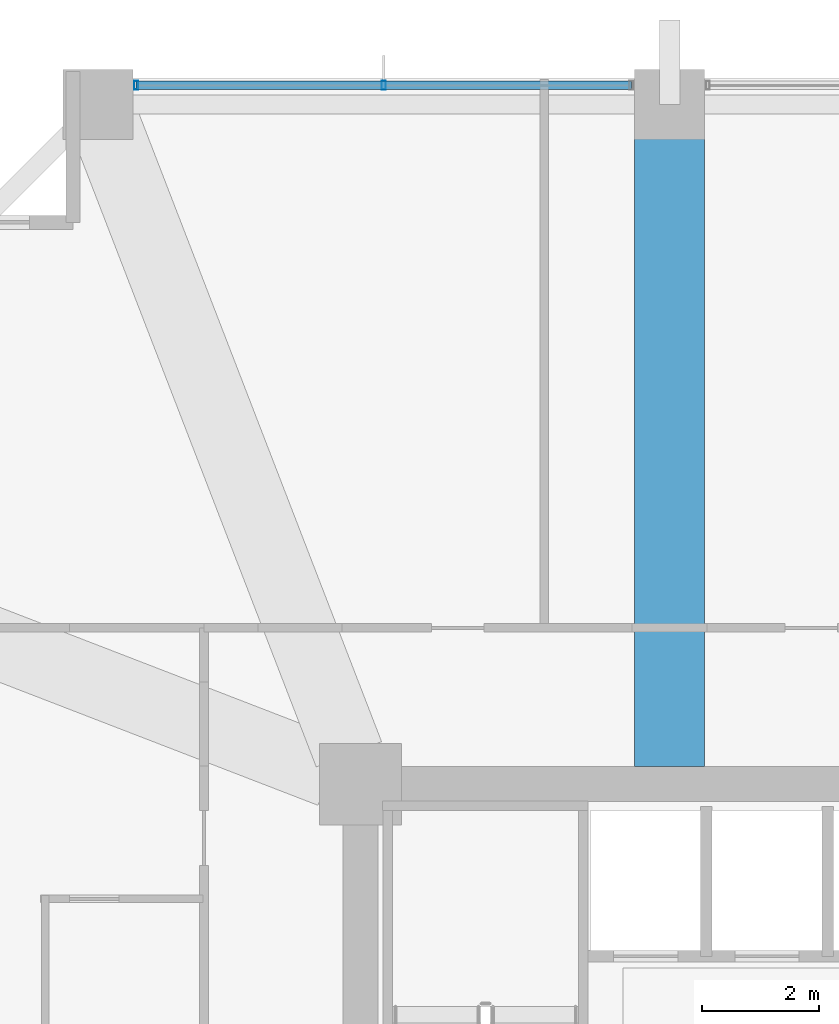
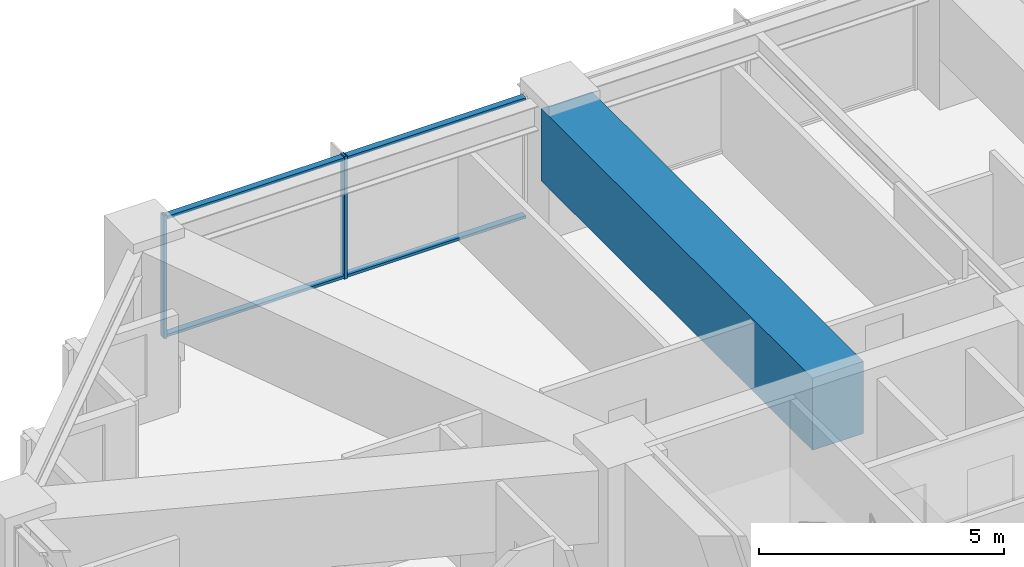
# One storey, part 22 of 39: 4 members, 1 beam, 1 element without a shape of its own.
"""IFC4 building model written with IfcOpenShell, lengths in metres."""

from ifc_helpers import new_model, si_unit, direction, frame, origin, origin_2d, place, context, subcontext, project, spatial, rectangle, hollow_rectangle, extrude, material, material_profile, profile_set, type_object, element, aggregate, save


model = new_model("IFC4")

# Units and contexts
model_context = context("Model", 3, precision=1e-05, world=origin(), true_north=direction((0.0, 1.0)))
body_context = subcontext(model_context, "Body", "Model", "MODEL_VIEW")
ifc_project = project(units=[si_unit("LENGTHUNIT", "METRE"), si_unit("AREAUNIT", "SQUARE_METRE"), si_unit("VOLUMEUNIT", "CUBIC_METRE"), si_unit("PLANEANGLEUNIT", "RADIAN"), si_unit("MASSUNIT", "GRAM", prefix="KILO")], contexts=[model_context])

# Site, building, storey
site_placement = place(None, origin())
site = spatial("IfcSite", under=ifc_project, at=site_placement, CompositionType="ELEMENT")
building_placement = place(site_placement, origin())
building = spatial("IfcBuilding", under=site, at=building_placement, Name="Kolvaren Belvedere", CompositionType="ELEMENT")
storey_placement = place(building_placement, frame((0.0, 0.0, 40.300048828125)))
storey = spatial("IfcBuildingStorey", under=building, at=storey_placement, Name="L11", CompositionType="ELEMENT", Elevation=40.300048828125)

# Beam
ifc_material_1 = material(Name="Concrete C50/60", Category="concrete")
ifc_material_profile_1 = material_profile(ifc_material_1, rectangle(XDim=1.199951171875, YDim=1.800048828125, at=origin_2d()), Name="RC 1200X1800")
ifc_profile_set_1 = profile_set([ifc_material_profile_1], Name="Concrete C50/60")
beam_type = type_object("IfcBeamType", Name="BM-TG-1800", PredefinedType="BEAM", material=ifc_profile_set_1)
beam_placement = place(storey_placement, frame((-4.60009765625, 10.199951171875, 2.159912109375), z_axis=(0.0, 1.0, 0.0), x_axis=(-1.0, 0.0, 0.0)))
element("IfcBeam", 1, at=beam_placement, inside=storey, type_object=beam_type, Name="L11 North Radial Girder M", PredefinedType="BEAM", context=body_context, shape_type="SweptSolid", body=[
    extrude(rectangle(XDim=1.199951171875, YDim=1.800048828125, at=origin_2d()), origin(), (0.0, 0.0, 1.0), 11.080078125),
])

# Curtain wall, members
ifc_material_2 = material(Name="Anodised pale-metal aluminium AA 6063-T6", Category="aluminium")
curtain_wall_type = type_object("IfcCurtainWallType", Name="CW-Z1-LOW", PredefinedType="NOTDEFINED", material=ifc_material_2)
curtain_wall_placement = place(storey_placement, origin())
curtain_wall = element("IfcCurtainWall", 2, at=curtain_wall_placement, inside=storey, type_object=curtain_wall_type, Name="L11 Unitised Curtain Wall FCW-L11-N-B1", PredefinedType="NOTDEFINED")
ifc_material_3 = material(Name="Anodised pale-metal aluminium AA 6063-T6", Category="aluminium")
ifc_material_profile_2 = material_profile(ifc_material_3, hollow_rectangle(XDim=0.070068359375, YDim=0.14990234375, WallThickness=0.004150390625, at=origin_2d()), Name="ALU-MUL-150X70")
ifc_profile_set_2 = profile_set([ifc_material_profile_2], Name="Anodised pale-metal aluminium AA 6063-T6")
member_type_1 = type_object("IfcMemberType", Name="CW-MUL-150", PredefinedType="MULLION", material=ifc_profile_set_2)
member_1_placement = place(storey_placement, frame((-13.7451171875, 21.8798828125, 0.0), z_axis=(0.0, 0.0, 1.0), x_axis=(1.0, 0.0, 0.0)))
member_1 = element("IfcMember", 3, at=member_1_placement, type_object=member_type_1, Name="FCW-L11-N-B1 Unitised Mullion 1", PredefinedType="MULLION", context=body_context, shape_type="SweptSolid", body=[
    extrude(hollow_rectangle(XDim=0.070068359375, YDim=0.14990234375, WallThickness=0.004150390625, at=origin_2d()), origin(), (0.0, 0.0, 1.0), 3.06005859375),
])
member_2_placement = place(storey_placement, frame((-9.5, 21.8798828125, 0.0), z_axis=(0.0, 0.0, 1.0), x_axis=(1.0, 0.0, 0.0)))
member_2 = element("IfcMember", 4, at=member_2_placement, type_object=member_type_1, Name="FCW-L11-N-B1 Unitised Mullion 2", PredefinedType="MULLION", context=body_context, shape_type="SweptSolid", body=[
    extrude(hollow_rectangle(XDim=0.070068359375, YDim=0.14990234375, WallThickness=0.004150390625, at=origin_2d()), origin(), (0.0, 0.0, 1.0), 3.06005859375),
])
ifc_material_4 = material(Name="Anodised pale-metal aluminium AA 6063-T6", Category="aluminium")
ifc_material_profile_3 = material_profile(ifc_material_4, hollow_rectangle(XDim=0.06494140625, YDim=0.14990234375, WallThickness=0.00390625, at=origin_2d()), Name="ALU-TRN-150X65")
ifc_profile_set_3 = profile_set([ifc_material_profile_3], Name="Anodised pale-metal aluminium AA 6063-T6")
member_type_2 = type_object("IfcMemberType", Name="CW-TRN-150", PredefinedType="USERDEFINED", material=ifc_profile_set_3)
member_3_placement = place(storey_placement, frame((-13.7451171875, 21.8798828125, 0.06005859375), z_axis=(1.0, 0.0, 0.0), x_axis=(0.0, 0.0, 1.0)))
member_3 = element("IfcMember", 5, at=member_3_placement, type_object=member_type_2, Name="FCW-L11-N-B1 Sill Transom", ObjectType="TRANSOM", PredefinedType="USERDEFINED", context=body_context, shape_type="SweptSolid", body=[
    extrude(hollow_rectangle(XDim=0.06494140625, YDim=0.14990234375, WallThickness=0.00390625, at=origin_2d()), origin(), (0.0, 0.0, 1.0), 8.490234375),
])
member_4_placement = place(storey_placement, frame((-13.7451171875, 21.8798828125, 3.0), z_axis=(1.0, 0.0, 0.0), x_axis=(0.0, 0.0, 1.0)))
member_4 = element("IfcMember", 6, at=member_4_placement, type_object=member_type_2, Name="FCW-L11-N-B1 Head Transom", ObjectType="TRANSOM", PredefinedType="USERDEFINED", context=body_context, shape_type="SweptSolid", body=[
    extrude(hollow_rectangle(XDim=0.06494140625, YDim=0.14990234375, WallThickness=0.00390625, at=origin_2d()), origin(), (0.0, 0.0, 1.0), 8.490234375),
])
aggregate(curtain_wall, [member_1, member_2, member_3, member_4])

save(model, "model.ifc")
